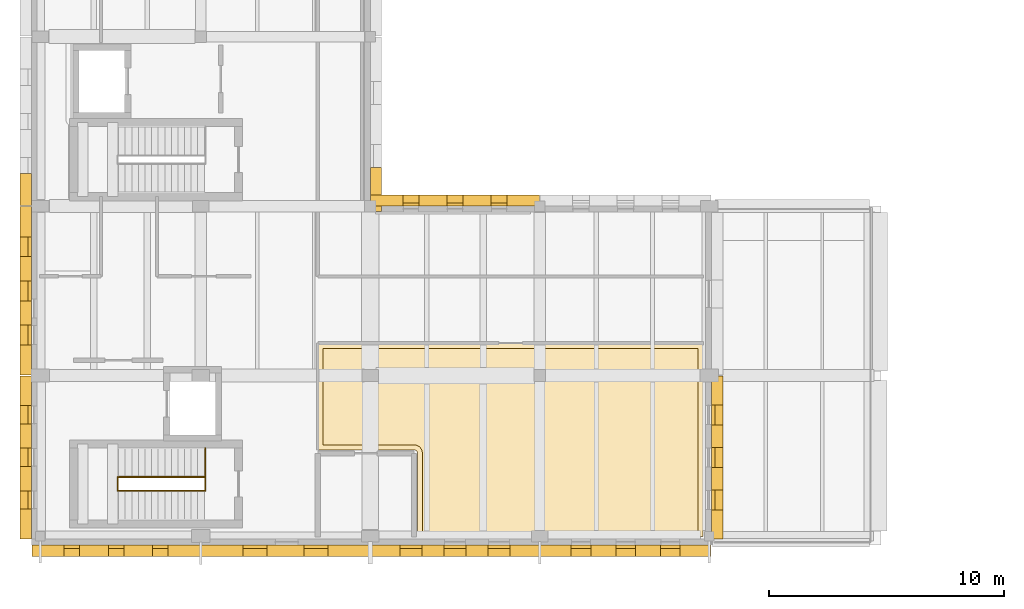
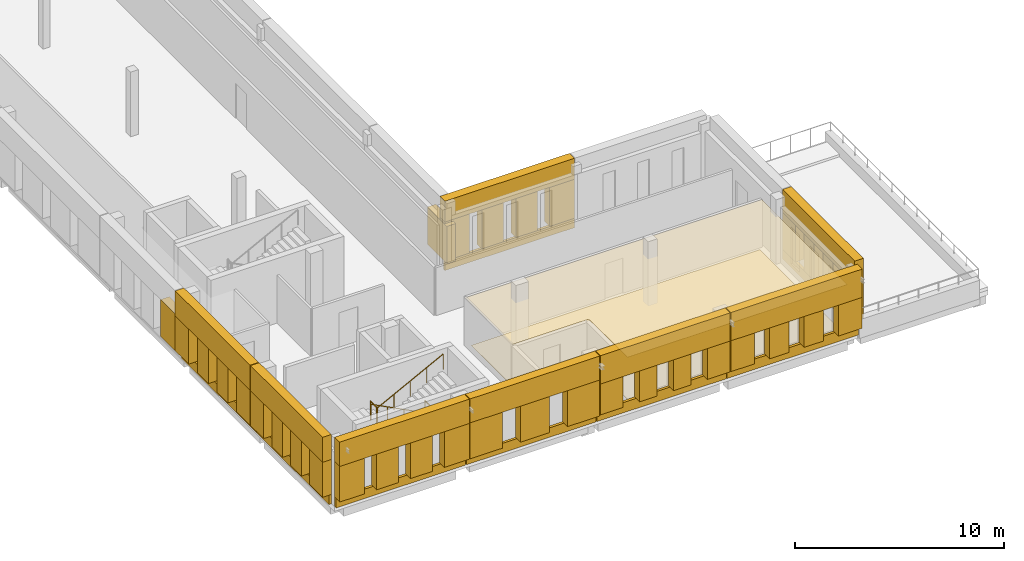
# One storey, part 12 of 15: 51 coverings, 4 railings.
"""IFC4 building model written with IfcOpenShell, lengths in metres."""

from ifc_helpers import new_model, si_unit, direction, frame, origin, origin_2d, place, context, subcontext, project, spatial, polyline, circle, outline, extrude, material, layer, layer_set, type_object, element, save


model = new_model("IFC4")

# Units and contexts
model_context = context("Model", 3, precision=1e-05, world=origin(), true_north=direction((0.0, 1.0)))
body_context = subcontext(model_context, "Body", "Model", "MODEL_VIEW")
ifc_project = project(units=[si_unit("LENGTHUNIT", "METRE"), si_unit("AREAUNIT", "SQUARE_METRE"), si_unit("VOLUMEUNIT", "CUBIC_METRE"), si_unit("PLANEANGLEUNIT", "RADIAN"), si_unit("MASSUNIT", "GRAM", prefix="KILO")], contexts=[model_context])

# Site, building, storey
site_placement = place(None, origin())
site = spatial("IfcSite", under=ifc_project, at=site_placement, CompositionType="ELEMENT")
building_placement = place(site_placement, origin())
building = spatial("IfcBuilding", under=site, at=building_placement, Name="Vardoun Plaza Health Centre", CompositionType="ELEMENT")
storey_placement = place(building_placement, frame((0.0, 0.0, 17.10009765625)))
storey = spatial("IfcBuildingStorey", under=building, at=storey_placement, Name="L04", CompositionType="ELEMENT", Elevation=17.10009765625)

# Coverings
ifc_material_1 = material(Name="Hygienic Acoustic Mineral-Fibre Ceiling", Category="concrete")
ifc_layer_1 = layer(ifc_material_1, 0.02490234375)
ifc_layer_set_1 = layer_set([ifc_layer_1], Name="Hygienic Acoustic Mineral-Fibre Ceiling")
covering_type_1 = type_object("IfcCoveringType", Name="CL-01", PredefinedType="CEILING", material=ifc_layer_set_1)
covering_1_placement = place(storey_placement, frame((0.0, 0.0, 2.72998046875)))
element("IfcCovering", 1, at=covering_1_placement, inside=storey, type_object=covering_type_1, Name="Neurology Consulting Room 42 Acoustic Ceiling", PredefinedType="CEILING", context=body_context, shape_type="SweptSolid", body=[
    extrude(outline(polyline([(20.903564453125, 4.860107421875), (20.903564453125, 8.40087890625), (20.903564453125, 8.4013671875), (20.90283203125, 8.4150390625), (20.902587890625, 8.416015625), (20.900634765625, 8.4296875), (20.900390625, 8.4306640625), (20.897216796875, 8.44384765625), (20.89697265625, 8.44482421875), (20.89208984375, 8.457763671875), (20.891845703125, 8.45849609375), (20.885986328125, 8.47119140625), (20.885498046875, 8.47216796875), (20.87841796875, 8.48388671875), (20.8779296875, 8.484619140625), (20.86962890625, 8.49560546875), (20.869140625, 8.496337890625), (20.85986328125, 8.506591796875), (20.859130859375, 8.50732421875), (20.84912109375, 8.5166015625), (20.848388671875, 8.51708984375), (20.83740234375, 8.525390625), (20.83642578125, 8.52587890625), (20.82470703125, 8.532958984375), (20.82373046875, 8.533203125), (20.811279296875, 8.539306640625), (20.810302734375, 8.53955078125), (20.79736328125, 8.544189453125), (20.796630859375, 8.54443359375), (20.783203125, 8.5478515625), (20.7822265625, 8.548095703125), (20.768798828125, 8.550048828125), (20.767578125, 8.55029296875), (20.75390625, 8.55078125), (20.75341796875, 8.55078125), (16.679931640625, 8.55078125), (16.679931640625, 13.070068359375), (33.0400390625, 13.070068359375), (33.0400390625, 4.860107421875), (20.903564453125, 4.860107421875)])), origin(), (0.0, 0.0, 1.0), 0.02490234375),
])
ifc_material_2 = material(Name="Pale Limestone Concrete C35/45", Category="masonry")
ifc_layer_2 = layer(ifc_material_2, 0.080078125)
ifc_layer_set_2 = layer_set([ifc_layer_2], Name="Pale Limestone Concrete C35/45")
covering_type_2 = type_object("IfcCoveringType", Name="CL-EXT1", PredefinedType="CLADDING", material=ifc_layer_set_2)
covering_2_placement = place(storey_placement, frame((0.0, 0.0, 0.5498046875)))
element("IfcCovering", 2, at=covering_2_placement, inside=storey, type_object=covering_type_2, Name="V2 L04 Deep-Punched Slot Concrete Reveal Pier 487", PredefinedType="CLADDING", context=body_context, shape_type="SweptSolid", body=[
    extrude(outline(polyline([(18.89990234375, 20.5439453125), (18.89990234375, 18.669921875), (19.3798828125, 18.669921875), (19.3798828125, 20.5439453125), (18.89990234375, 20.5439453125)])), origin(), (0.0, 0.0, 1.0), 2.18017578125),
])
covering_3_placement = place(storey_placement, origin())
element("IfcCovering", 3, at=covering_3_placement, inside=storey, type_object=covering_type_2, Name="V2 L04 Pale Concrete Sill Band 488", PredefinedType="CLADDING", context=body_context, shape_type="SweptSolid", body=[
    extrude(outline(polyline([(18.919921875, 18.89990234375), (26.080078125, 18.89990234375), (26.080078125, 19.0400390625), (18.919921875, 19.0400390625), (18.919921875, 18.89990234375)])), origin(), (0.0, 0.0, 1.0), 0.5498046875),
])
covering_4_placement = place(storey_placement, frame((0.0, 0.0, 2.829833984375)))
element("IfcCovering", 4, at=covering_4_placement, inside=storey, type_object=covering_type_2, Name="V2 L04 Sculpted Concrete Eyebrow Hood 489", PredefinedType="CLADDING", context=body_context, shape_type="SweptSolid", body=[
    extrude(outline(polyline([(18.919921875, 18.89990234375), (26.080078125, 18.89990234375), (26.080078125, 19.3798828125), (18.919921875, 19.3798828125), (18.919921875, 18.89990234375)])), origin(), (0.0, 0.0, 1.0), 1.219970703125),
])
covering_5_placement = place(storey_placement, frame((0.0, 0.0, 0.5498046875)))
element("IfcCovering", 5, at=covering_5_placement, inside=storey, type_object=covering_type_2, Name="V2 L04 Deep-Punched Slot Concrete Reveal Pier 490", PredefinedType="CLADDING", context=body_context, shape_type="SweptSolid", body=[
    extrude(outline(polyline([(18.919921875, 18.89990234375), (20.2880859375, 18.89990234375), (20.2880859375, 19.3798828125), (18.919921875, 19.3798828125), (18.919921875, 18.89990234375)])), origin(), (0.0, 0.0, 1.0), 2.280029296875),
])
covering_6_placement = place(storey_placement, frame((0.0, 0.0, 0.5498046875)))
element("IfcCovering", 6, at=covering_6_placement, inside=storey, type_object=covering_type_2, Name="V2 L04 Deep-Punched Slot Concrete Reveal Pier 491", PredefinedType="CLADDING", context=body_context, shape_type="SweptSolid", body=[
    extrude(outline(polyline([(20.968017578125, 18.89990234375), (22.159912109375, 18.89990234375), (22.159912109375, 19.3798828125), (20.968017578125, 19.3798828125), (20.968017578125, 18.89990234375)])), origin(), (0.0, 0.0, 1.0), 2.280029296875),
])
covering_7_placement = place(storey_placement, frame((0.0, 0.0, 0.5498046875)))
element("IfcCovering", 7, at=covering_7_placement, inside=storey, type_object=covering_type_2, Name="V2 L04 Deep-Punched Slot Concrete Reveal Pier 492", PredefinedType="CLADDING", context=body_context, shape_type="SweptSolid", body=[
    extrude(outline(polyline([(22.840087890625, 18.89990234375), (24.031982421875, 18.89990234375), (24.031982421875, 19.3798828125), (22.840087890625, 19.3798828125), (22.840087890625, 18.89990234375)])), origin(), (0.0, 0.0, 1.0), 2.280029296875),
])
covering_8_placement = place(storey_placement, frame((0.0, 0.0, 0.5498046875)))
element("IfcCovering", 8, at=covering_8_placement, inside=storey, type_object=covering_type_2, Name="V2 L04 Deep-Punched Slot Concrete Reveal Pier 493", PredefinedType="CLADDING", context=body_context, shape_type="SweptSolid", body=[
    extrude(outline(polyline([(24.7119140625, 18.89990234375), (26.080078125, 18.89990234375), (26.080078125, 19.3798828125), (24.7119140625, 19.3798828125), (24.7119140625, 18.89990234375)])), origin(), (0.0, 0.0, 1.0), 2.280029296875),
])
covering_9_placement = place(storey_placement, origin())
element("IfcCovering", 9, at=covering_9_placement, inside=storey, type_object=covering_type_2, Name="V2 L04 Pale Concrete Sill Band 503", PredefinedType="CLADDING", context=body_context, shape_type="SweptSolid", body=[
    extrude(outline(polyline([(33.39990234375, 11.679931640625), (33.39990234375, 4.77001953125), (33.5400390625, 4.77001953125), (33.5400390625, 11.679931640625), (33.39990234375, 11.679931640625)])), origin(), (0.0, 0.0, 1.0), 0.5498046875),
])
covering_10_placement = place(storey_placement, frame((0.0, 0.0, 2.7099609375)))
element("IfcCovering", 10, at=covering_10_placement, inside=storey, type_object=covering_type_2, Name="V2 L04 Sculpted Concrete Eyebrow Hood 504", PredefinedType="CLADDING", context=body_context, shape_type="SweptSolid", body=[
    extrude(outline(polyline([(33.39990234375, 11.679931640625), (33.39990234375, 4.77001953125), (33.8798828125, 4.77001953125), (33.8798828125, 11.679931640625), (33.39990234375, 11.679931640625)])), origin(), (0.0, 0.0, 1.0), 1.33984375),
])
covering_11_placement = place(storey_placement, frame((0.0, 0.0, 0.5498046875)))
element("IfcCovering", 11, at=covering_11_placement, inside=storey, type_object=covering_type_2, Name="V2 L04 Deep-Punched Slot Concrete Reveal Pier 505", PredefinedType="CLADDING", context=body_context, shape_type="SweptSolid", body=[
    extrude(outline(polyline([(33.39990234375, 11.679931640625), (33.39990234375, 10.451904296875), (33.8798828125, 10.451904296875), (33.8798828125, 11.679931640625), (33.39990234375, 11.679931640625)])), origin(), (0.0, 0.0, 1.0), 2.16015625),
])
covering_12_placement = place(storey_placement, frame((0.0, 0.0, 0.5498046875)))
element("IfcCovering", 12, at=covering_12_placement, inside=storey, type_object=covering_type_2, Name="V2 L04 Deep-Punched Slot Concrete Reveal Pier 506", PredefinedType="CLADDING", context=body_context, shape_type="SweptSolid", body=[
    extrude(outline(polyline([(33.39990234375, 9.612060546875), (33.39990234375, 8.64501953125), (33.8798828125, 8.64501953125), (33.8798828125, 9.612060546875), (33.39990234375, 9.612060546875)])), origin(), (0.0, 0.0, 1.0), 2.16015625),
])
covering_13_placement = place(storey_placement, frame((0.0, 0.0, 0.5498046875)))
element("IfcCovering", 13, at=covering_13_placement, inside=storey, type_object=covering_type_2, Name="V2 L04 Deep-Punched Slot Concrete Reveal Pier 507", PredefinedType="CLADDING", context=body_context, shape_type="SweptSolid", body=[
    extrude(outline(polyline([(33.39990234375, 7.804931640625), (33.39990234375, 6.837890625), (33.8798828125, 6.837890625), (33.8798828125, 7.804931640625), (33.39990234375, 7.804931640625)])), origin(), (0.0, 0.0, 1.0), 2.16015625),
])
covering_14_placement = place(storey_placement, frame((0.0, 0.0, 0.5498046875)))
element("IfcCovering", 14, at=covering_14_placement, inside=storey, type_object=covering_type_2, Name="V2 L04 Deep-Punched Slot Concrete Reveal Pier 508", PredefinedType="CLADDING", context=body_context, shape_type="SweptSolid", body=[
    extrude(outline(polyline([(33.39990234375, 5.998046875), (33.39990234375, 4.77001953125), (33.8798828125, 4.77001953125), (33.8798828125, 5.998046875), (33.39990234375, 5.998046875)])), origin(), (0.0, 0.0, 1.0), 2.16015625),
])
covering_15_placement = place(storey_placement, origin())
element("IfcCovering", 15, at=covering_15_placement, inside=storey, type_object=covering_type_2, Name="V2 L04 Pale Concrete Sill Band 509", PredefinedType="CLADDING", context=body_context, shape_type="SweptSolid", body=[
    extrude(outline(polyline([(33.3798828125, 4.5), (26.1201171875, 4.5), (26.1201171875, 4.360107421875), (33.3798828125, 4.360107421875), (33.3798828125, 4.5)])), origin(), (0.0, 0.0, 1.0), 0.599853515625),
])
covering_16_placement = place(storey_placement, frame((0.0, 0.0, 2.39990234375)))
element("IfcCovering", 16, at=covering_16_placement, inside=storey, type_object=covering_type_2, Name="V2 L04 Sculpted Concrete Eyebrow Hood 510", PredefinedType="CLADDING", context=body_context, shape_type="SweptSolid", body=[
    extrude(outline(polyline([(33.3798828125, 4.5), (26.1201171875, 4.5), (26.1201171875, 4.02001953125), (33.3798828125, 4.02001953125), (33.3798828125, 4.5)])), origin(), (0.0, 0.0, 1.0), 1.64990234375),
])
covering_17_placement = place(storey_placement, frame((0.0, 0.0, 0.599853515625)))
element("IfcCovering", 17, at=covering_17_placement, inside=storey, type_object=covering_type_2, Name="V2 L04 Deep-Punched Slot Concrete Reveal Pier 511", PredefinedType="CLADDING", context=body_context, shape_type="SweptSolid", body=[
    extrude(outline(polyline([(33.3798828125, 4.5), (32.068115234375, 4.5), (32.068115234375, 4.02001953125), (33.3798828125, 4.02001953125), (33.3798828125, 4.5)])), origin(), (0.0, 0.0, 1.0), 1.800048828125),
])
covering_18_placement = place(storey_placement, frame((0.0, 0.0, 0.599853515625)))
element("IfcCovering", 18, at=covering_18_placement, inside=storey, type_object=covering_type_2, Name="V2 L04 Deep-Punched Slot Concrete Reveal Pier 512", PredefinedType="CLADDING", context=body_context, shape_type="SweptSolid", body=[
    extrude(outline(polyline([(31.22802734375, 4.5), (30.169921875, 4.5), (30.169921875, 4.02001953125), (31.22802734375, 4.02001953125), (31.22802734375, 4.5)])), origin(), (0.0, 0.0, 1.0), 1.800048828125),
])
covering_19_placement = place(storey_placement, frame((0.0, 0.0, 0.599853515625)))
element("IfcCovering", 19, at=covering_19_placement, inside=storey, type_object=covering_type_2, Name="V2 L04 Deep-Punched Slot Concrete Reveal Pier 513", PredefinedType="CLADDING", context=body_context, shape_type="SweptSolid", body=[
    extrude(outline(polyline([(29.330078125, 4.5), (28.27197265625, 4.5), (28.27197265625, 4.02001953125), (29.330078125, 4.02001953125), (29.330078125, 4.5)])), origin(), (0.0, 0.0, 1.0), 1.800048828125),
])
covering_20_placement = place(storey_placement, frame((0.0, 0.0, 0.599853515625)))
element("IfcCovering", 20, at=covering_20_placement, inside=storey, type_object=covering_type_2, Name="V2 L04 Deep-Punched Slot Concrete Reveal Pier 514", PredefinedType="CLADDING", context=body_context, shape_type="SweptSolid", body=[
    extrude(outline(polyline([(27.431884765625, 4.5), (26.1201171875, 4.5), (26.1201171875, 4.02001953125), (27.431884765625, 4.02001953125), (27.431884765625, 4.5)])), origin(), (0.0, 0.0, 1.0), 1.800048828125),
])
covering_21_placement = place(storey_placement, origin())
element("IfcCovering", 21, at=covering_21_placement, inside=storey, type_object=covering_type_2, Name="V2 L04 Pale Concrete Sill Band 515", PredefinedType="CLADDING", context=body_context, shape_type="SweptSolid", body=[
    extrude(outline(polyline([(26.080078125, 4.5), (18.919921875, 4.5), (18.919921875, 4.360107421875), (26.080078125, 4.360107421875), (26.080078125, 4.5)])), origin(), (0.0, 0.0, 1.0), 0.599853515625),
])
covering_22_placement = place(storey_placement, frame((0.0, 0.0, 2.39990234375)))
element("IfcCovering", 22, at=covering_22_placement, inside=storey, type_object=covering_type_2, Name="V2 L04 Sculpted Concrete Eyebrow Hood 516", PredefinedType="CLADDING", context=body_context, shape_type="SweptSolid", body=[
    extrude(outline(polyline([(26.080078125, 4.5), (18.919921875, 4.5), (18.919921875, 4.02001953125), (26.080078125, 4.02001953125), (26.080078125, 4.5)])), origin(), (0.0, 0.0, 1.0), 1.64990234375),
])
covering_23_placement = place(storey_placement, frame((0.0, 0.0, 0.599853515625)))
element("IfcCovering", 23, at=covering_23_placement, inside=storey, type_object=covering_type_2, Name="V2 L04 Deep-Punched Slot Concrete Reveal Pier 517", PredefinedType="CLADDING", context=body_context, shape_type="SweptSolid", body=[
    extrude(outline(polyline([(26.080078125, 4.5), (24.83203125, 4.5), (24.83203125, 4.02001953125), (26.080078125, 4.02001953125), (26.080078125, 4.5)])), origin(), (0.0, 0.0, 1.0), 1.800048828125),
])
covering_24_placement = place(storey_placement, frame((0.0, 0.0, 0.599853515625)))
element("IfcCovering", 24, at=covering_24_placement, inside=storey, type_object=covering_type_2, Name="V2 L04 Deep-Punched Slot Concrete Reveal Pier 518", PredefinedType="CLADDING", context=body_context, shape_type="SweptSolid", body=[
    extrude(outline(polyline([(23.912109375, 4.5), (22.9599609375, 4.5), (22.9599609375, 4.02001953125), (23.912109375, 4.02001953125), (23.912109375, 4.5)])), origin(), (0.0, 0.0, 1.0), 1.800048828125),
])
covering_25_placement = place(storey_placement, frame((0.0, 0.0, 0.599853515625)))
element("IfcCovering", 25, at=covering_25_placement, inside=storey, type_object=covering_type_2, Name="V2 L04 Deep-Punched Slot Concrete Reveal Pier 519", PredefinedType="CLADDING", context=body_context, shape_type="SweptSolid", body=[
    extrude(outline(polyline([(22.0400390625, 4.5), (21.087890625, 4.5), (21.087890625, 4.02001953125), (22.0400390625, 4.02001953125), (22.0400390625, 4.5)])), origin(), (0.0, 0.0, 1.0), 1.800048828125),
])
covering_26_placement = place(storey_placement, frame((0.0, 0.0, 0.599853515625)))
element("IfcCovering", 26, at=covering_26_placement, inside=storey, type_object=covering_type_2, Name="V2 L04 Deep-Punched Slot Concrete Reveal Pier 520", PredefinedType="CLADDING", context=body_context, shape_type="SweptSolid", body=[
    extrude(outline(polyline([(20.16796875, 4.5), (18.919921875, 4.5), (18.919921875, 4.02001953125), (20.16796875, 4.02001953125), (20.16796875, 4.5)])), origin(), (0.0, 0.0, 1.0), 1.800048828125),
])
covering_27_placement = place(storey_placement, origin())
element("IfcCovering", 27, at=covering_27_placement, inside=storey, type_object=covering_type_2, Name="V2 L04 Pale Concrete Sill Band 521", PredefinedType="CLADDING", context=body_context, shape_type="SweptSolid", body=[
    extrude(outline(polyline([(18.8798828125, 4.5), (11.719970703125, 4.5), (11.719970703125, 4.360107421875), (18.8798828125, 4.360107421875), (18.8798828125, 4.5)])), origin(), (0.0, 0.0, 1.0), 0.5498046875),
])
covering_28_placement = place(storey_placement, frame((0.0, 0.0, 2.64990234375)))
element("IfcCovering", 28, at=covering_28_placement, inside=storey, type_object=covering_type_2, Name="V2 L04 Sculpted Concrete Eyebrow Hood 522", PredefinedType="CLADDING", context=body_context, shape_type="SweptSolid", body=[
    extrude(outline(polyline([(18.8798828125, 4.5), (11.719970703125, 4.5), (11.719970703125, 4.02001953125), (18.8798828125, 4.02001953125), (18.8798828125, 4.5)])), origin(), (0.0, 0.0, 1.0), 1.39990234375),
])
covering_29_placement = place(storey_placement, frame((0.0, 0.0, 0.5498046875)))
element("IfcCovering", 29, at=covering_29_placement, inside=storey, type_object=covering_type_2, Name="V2 L04 Deep-Punched Slot Concrete Reveal Pier 523", PredefinedType="CLADDING", context=body_context, shape_type="SweptSolid", body=[
    extrude(outline(polyline([(18.8798828125, 4.5), (17.095947265625, 4.5), (17.095947265625, 4.02001953125), (18.8798828125, 4.02001953125), (18.8798828125, 4.5)])), origin(), (0.0, 0.0, 1.0), 2.10009765625),
])
covering_30_placement = place(storey_placement, frame((0.0, 0.0, 0.5498046875)))
element("IfcCovering", 30, at=covering_30_placement, inside=storey, type_object=covering_type_2, Name="V2 L04 Deep-Punched Slot Concrete Reveal Pier 524", PredefinedType="CLADDING", context=body_context, shape_type="SweptSolid", body=[
    extrude(outline(polyline([(16.095947265625, 4.5), (14.50390625, 4.5), (14.50390625, 4.02001953125), (16.095947265625, 4.02001953125), (16.095947265625, 4.5)])), origin(), (0.0, 0.0, 1.0), 2.10009765625),
])
covering_31_placement = place(storey_placement, frame((0.0, 0.0, 0.5498046875)))
element("IfcCovering", 31, at=covering_31_placement, inside=storey, type_object=covering_type_2, Name="V2 L04 Deep-Punched Slot Concrete Reveal Pier 525", PredefinedType="CLADDING", context=body_context, shape_type="SweptSolid", body=[
    extrude(outline(polyline([(13.50390625, 4.5), (11.719970703125, 4.5), (11.719970703125, 4.02001953125), (13.50390625, 4.02001953125), (13.50390625, 4.5)])), origin(), (0.0, 0.0, 1.0), 2.10009765625),
])
covering_32_placement = place(storey_placement, origin())
element("IfcCovering", 32, at=covering_32_placement, inside=storey, type_object=covering_type_2, Name="V2 L04 Pale Concrete Sill Band 526", PredefinedType="CLADDING", context=body_context, shape_type="SweptSolid", body=[
    extrude(outline(polyline([(11.679931640625, 4.5), (4.52001953125, 4.5), (4.52001953125, 4.360107421875), (11.679931640625, 4.360107421875), (11.679931640625, 4.5)])), origin(), (0.0, 0.0, 1.0), 0.5498046875),
])
covering_33_placement = place(storey_placement, frame((0.0, 0.0, 2.6298828125)))
element("IfcCovering", 33, at=covering_33_placement, inside=storey, type_object=covering_type_2, Name="V2 L04 Sculpted Concrete Eyebrow Hood 527", PredefinedType="CLADDING", context=body_context, shape_type="SweptSolid", body=[
    extrude(outline(polyline([(11.679931640625, 4.5), (4.52001953125, 4.5), (4.52001953125, 4.02001953125), (11.679931640625, 4.02001953125), (11.679931640625, 4.5)])), origin(), (0.0, 0.0, 1.0), 1.419921875),
])
covering_34_placement = place(storey_placement, frame((0.0, 0.0, 0.5498046875)))
element("IfcCovering", 34, at=covering_34_placement, inside=storey, type_object=covering_type_2, Name="V2 L04 Deep-Punched Slot Concrete Reveal Pier 528", PredefinedType="CLADDING", context=body_context, shape_type="SweptSolid", body=[
    extrude(outline(polyline([(11.679931640625, 4.5), (10.302001953125, 4.5), (10.302001953125, 4.02001953125), (11.679931640625, 4.02001953125), (11.679931640625, 4.5)])), origin(), (0.0, 0.0, 1.0), 2.080078125),
])
covering_35_placement = place(storey_placement, frame((0.0, 0.0, 0.5498046875)))
element("IfcCovering", 35, at=covering_35_placement, inside=storey, type_object=covering_type_2, Name="V2 L04 Deep-Punched Slot Concrete Reveal Pier 529", PredefinedType="CLADDING", context=body_context, shape_type="SweptSolid", body=[
    extrude(outline(polyline([(9.64208984375, 4.5), (8.429931640625, 4.5), (8.429931640625, 4.02001953125), (9.64208984375, 4.02001953125), (9.64208984375, 4.5)])), origin(), (0.0, 0.0, 1.0), 2.080078125),
])
covering_36_placement = place(storey_placement, frame((0.0, 0.0, 0.5498046875)))
element("IfcCovering", 36, at=covering_36_placement, inside=storey, type_object=covering_type_2, Name="V2 L04 Deep-Punched Slot Concrete Reveal Pier 530", PredefinedType="CLADDING", context=body_context, shape_type="SweptSolid", body=[
    extrude(outline(polyline([(7.77001953125, 4.5), (6.55810546875, 4.5), (6.55810546875, 4.02001953125), (7.77001953125, 4.02001953125), (7.77001953125, 4.5)])), origin(), (0.0, 0.0, 1.0), 2.080078125),
])
covering_37_placement = place(storey_placement, frame((0.0, 0.0, 0.5498046875)))
element("IfcCovering", 37, at=covering_37_placement, inside=storey, type_object=covering_type_2, Name="V2 L04 Deep-Punched Slot Concrete Reveal Pier 531", PredefinedType="CLADDING", context=body_context, shape_type="SweptSolid", body=[
    extrude(outline(polyline([(5.89794921875, 4.5), (4.52001953125, 4.5), (4.52001953125, 4.02001953125), (5.89794921875, 4.02001953125), (5.89794921875, 4.5)])), origin(), (0.0, 0.0, 1.0), 2.080078125),
])
covering_38_placement = place(storey_placement, origin())
element("IfcCovering", 38, at=covering_38_placement, inside=storey, type_object=covering_type_2, Name="V2 L04 Pale Concrete Sill Band 532", PredefinedType="CLADDING", context=body_context, shape_type="SweptSolid", body=[
    extrude(outline(polyline([(4.5, 4.77001953125), (4.5, 11.679931640625), (4.360107421875, 11.679931640625), (4.360107421875, 4.77001953125), (4.5, 4.77001953125)])), origin(), (0.0, 0.0, 1.0), 0.5498046875),
])
covering_39_placement = place(storey_placement, frame((0.0, 0.0, 2.58984375)))
element("IfcCovering", 39, at=covering_39_placement, inside=storey, type_object=covering_type_2, Name="V2 L04 Sculpted Concrete Eyebrow Hood 533", PredefinedType="CLADDING", context=body_context, shape_type="SweptSolid", body=[
    extrude(outline(polyline([(4.5, 4.77001953125), (4.5, 11.679931640625), (4.02001953125, 11.679931640625), (4.02001953125, 4.77001953125), (4.5, 4.77001953125)])), origin(), (0.0, 0.0, 1.0), 1.4599609375),
])
covering_40_placement = place(storey_placement, frame((0.0, 0.0, 0.5498046875)))
element("IfcCovering", 40, at=covering_40_placement, inside=storey, type_object=covering_type_2, Name="V2 L04 Deep-Punched Slot Concrete Reveal Pier 534", PredefinedType="CLADDING", context=body_context, shape_type="SweptSolid", body=[
    extrude(outline(polyline([(4.5, 4.77001953125), (4.5, 6.028076171875), (4.02001953125, 6.028076171875), (4.02001953125, 4.77001953125), (4.5, 4.77001953125)])), origin(), (0.0, 0.0, 1.0), 2.0400390625),
])
covering_41_placement = place(storey_placement, frame((0.0, 0.0, 0.5498046875)))
element("IfcCovering", 41, at=covering_41_placement, inside=storey, type_object=covering_type_2, Name="V2 L04 Deep-Punched Slot Concrete Reveal Pier 535", PredefinedType="CLADDING", context=body_context, shape_type="SweptSolid", body=[
    extrude(outline(polyline([(4.5, 6.80810546875), (4.5, 7.8349609375), (4.02001953125, 7.8349609375), (4.02001953125, 6.80810546875), (4.5, 6.80810546875)])), origin(), (0.0, 0.0, 1.0), 2.0400390625),
])
covering_42_placement = place(storey_placement, frame((0.0, 0.0, 0.5498046875)))
element("IfcCovering", 42, at=covering_42_placement, inside=storey, type_object=covering_type_2, Name="V2 L04 Deep-Punched Slot Concrete Reveal Pier 536", PredefinedType="CLADDING", context=body_context, shape_type="SweptSolid", body=[
    extrude(outline(polyline([(4.5, 8.614990234375), (4.5, 9.64208984375), (4.02001953125, 9.64208984375), (4.02001953125, 8.614990234375), (4.5, 8.614990234375)])), origin(), (0.0, 0.0, 1.0), 2.0400390625),
])
covering_43_placement = place(storey_placement, frame((0.0, 0.0, 0.5498046875)))
element("IfcCovering", 43, at=covering_43_placement, inside=storey, type_object=covering_type_2, Name="V2 L04 Deep-Punched Slot Concrete Reveal Pier 537", PredefinedType="CLADDING", context=body_context, shape_type="SweptSolid", body=[
    extrude(outline(polyline([(4.5, 10.422119140625), (4.5, 11.679931640625), (4.02001953125, 11.679931640625), (4.02001953125, 10.422119140625), (4.5, 10.422119140625)])), origin(), (0.0, 0.0, 1.0), 2.0400390625),
])
covering_44_placement = place(storey_placement, origin())
element("IfcCovering", 44, at=covering_44_placement, inside=storey, type_object=covering_type_2, Name="V2 L04 Pale Concrete Sill Band 538", PredefinedType="CLADDING", context=body_context, shape_type="SweptSolid", body=[
    extrude(outline(polyline([(4.5, 11.719970703125), (4.5, 18.8798828125), (4.360107421875, 18.8798828125), (4.360107421875, 11.719970703125), (4.5, 11.719970703125)])), origin(), (0.0, 0.0, 1.0), 0.5498046875),
])
covering_45_placement = place(storey_placement, frame((0.0, 0.0, 2.58984375)))
element("IfcCovering", 45, at=covering_45_placement, inside=storey, type_object=covering_type_2, Name="V2 L04 Sculpted Concrete Eyebrow Hood 539", PredefinedType="CLADDING", context=body_context, shape_type="SweptSolid", body=[
    extrude(outline(polyline([(4.5, 11.719970703125), (4.5, 18.8798828125), (4.02001953125, 18.8798828125), (4.02001953125, 11.719970703125), (4.5, 11.719970703125)])), origin(), (0.0, 0.0, 1.0), 1.4599609375),
])
covering_46_placement = place(storey_placement, frame((0.0, 0.0, 0.5498046875)))
element("IfcCovering", 46, at=covering_46_placement, inside=storey, type_object=covering_type_2, Name="V2 L04 Deep-Punched Slot Concrete Reveal Pier 540", PredefinedType="CLADDING", context=body_context, shape_type="SweptSolid", body=[
    extrude(outline(polyline([(4.5, 11.719970703125), (4.5, 13.008056640625), (4.02001953125, 13.008056640625), (4.02001953125, 11.719970703125), (4.5, 11.719970703125)])), origin(), (0.0, 0.0, 1.0), 2.0400390625),
])
covering_47_placement = place(storey_placement, frame((0.0, 0.0, 0.5498046875)))
element("IfcCovering", 47, at=covering_47_placement, inside=storey, type_object=covering_type_2, Name="V2 L04 Deep-Punched Slot Concrete Reveal Pier 541", PredefinedType="CLADDING", context=body_context, shape_type="SweptSolid", body=[
    extrude(outline(polyline([(4.5, 13.847900390625), (4.5, 14.8798828125), (4.02001953125, 14.8798828125), (4.02001953125, 13.847900390625), (4.5, 13.847900390625)])), origin(), (0.0, 0.0, 1.0), 2.0400390625),
])
covering_48_placement = place(storey_placement, frame((0.0, 0.0, 0.5498046875)))
element("IfcCovering", 48, at=covering_48_placement, inside=storey, type_object=covering_type_2, Name="V2 L04 Deep-Punched Slot Concrete Reveal Pier 542", PredefinedType="CLADDING", context=body_context, shape_type="SweptSolid", body=[
    extrude(outline(polyline([(4.5, 15.719970703125), (4.5, 16.751953125), (4.02001953125, 16.751953125), (4.02001953125, 15.719970703125), (4.5, 15.719970703125)])), origin(), (0.0, 0.0, 1.0), 2.0400390625),
])
covering_49_placement = place(storey_placement, frame((0.0, 0.0, 0.5498046875)))
element("IfcCovering", 49, at=covering_49_placement, inside=storey, type_object=covering_type_2, Name="V2 L04 Deep-Punched Slot Concrete Reveal Pier 543", PredefinedType="CLADDING", context=body_context, shape_type="SweptSolid", body=[
    extrude(outline(polyline([(4.5, 17.592041015625), (4.5, 18.8798828125), (4.02001953125, 18.8798828125), (4.02001953125, 17.592041015625), (4.5, 17.592041015625)])), origin(), (0.0, 0.0, 1.0), 2.0400390625),
])
covering_50_placement = place(storey_placement, frame((0.0, 0.0, 0.5498046875)))
element("IfcCovering", 50, at=covering_50_placement, inside=storey, type_object=covering_type_2, Name="V2 L04 Deep-Punched Slot Concrete Reveal Pier 546", PredefinedType="CLADDING", context=body_context, shape_type="SweptSolid", body=[
    extrude(outline(polyline([(4.5, 18.919921875), (4.5, 20.282958984375), (4.02001953125, 20.282958984375), (4.02001953125, 18.919921875), (4.5, 18.919921875)])), origin(), (0.0, 0.0, 1.0), 2.14013671875),
])
ifc_material_3 = material(Name="Seamless Conductive Clinical Vinyl Flooring", Category="concrete")
ifc_layer_3 = layer(ifc_material_3, 0.014892578125)
ifc_layer_set_3 = layer_set([ifc_layer_3], Name="Seamless Conductive Clinical Vinyl Flooring")
covering_type_3 = type_object("IfcCoveringType", Name="FL-01", PredefinedType="FLOORING", material=ifc_layer_set_3)
covering_51_placement = place(storey_placement, origin())
element("IfcCovering", 51, at=covering_51_placement, inside=storey, type_object=covering_type_3, Name="Neurology Consulting Room 42 Floor Finish", PredefinedType="FLOORING", context=body_context, shape_type="SweptSolid", body=[
    extrude(outline(polyline([(21.113525390625, 5.070068359375), (21.113525390625, 8.40087890625), (21.11328125, 8.412109375), (21.112548828125, 8.42578125), (21.110595703125, 8.446533203125), (21.1083984375, 8.460205078125), (21.104248046875, 8.481201171875), (21.10107421875, 8.494384765625), (21.09423828125, 8.516845703125), (21.089599609375, 8.52978515625), (21.08251953125, 8.547119140625), (21.07666015625, 8.5595703125), (21.0654296875, 8.580322265625), (21.058349609375, 8.592041015625), (21.04638671875, 8.610107421875), (21.0380859375, 8.62109375), (21.025146484375, 8.636962890625), (21.015869140625, 8.647216796875), (20.999755859375, 8.663330078125), (20.989501953125, 8.672607421875), (20.973876953125, 8.685546875), (20.962890625, 8.693603515625), (20.943603515625, 8.70654296875), (20.931640625, 8.71337890625), (20.9140625, 8.722900390625), (20.901611328125, 8.72900390625), (20.880615234375, 8.737548828125), (20.867431640625, 8.7421875), (20.8486328125, 8.747802734375), (20.835205078125, 8.751220703125), (20.812744140625, 8.755859375), (20.79931640625, 8.7578125), (20.7783203125, 8.760009765625), (20.7646484375, 8.760498046875), (20.75341796875, 8.760986328125), (16.889892578125, 8.760986328125), (16.889892578125, 12.860107421875), (32.830078125, 12.860107421875), (32.830078125, 5.070068359375), (21.113525390625, 5.070068359375)])), origin(), (0.0, 0.0, 1.0), 0.014892578125),
])

# Railings
ifc_material_4 = material(Name="Painted Steel S275JR Stair-Well Guardrail", Category="steel")
railing_type_1 = type_object("IfcRailingType", Name="GR-04", PredefinedType="GUARDRAIL", material=ifc_material_4)
railing_1_placement = place(storey_placement, frame((11.889892578125, 6.804931640625, 0.0)))
element("IfcRailing", 52, at=railing_1_placement, inside=storey, type_object=railing_type_1, Name="Stair ST-C1-L03 Upper Landing Well Guard", PredefinedType="GUARDRAIL", context=body_context, shape_type="SweptSolid", body=[
    extrude(circle(Radius=0.02392578125, at=origin_2d()), frame((0.0, 0.0, 1.09619140625), z_axis=(0.0, 1.0, 0.0), x_axis=(-1.0, 0.0, 0.0)), (0.0, 0.0, 1.0), 1.815185546875),
    extrude(circle(Radius=0.02099609375, at=origin_2d()), origin(), (0.0, 0.0, 1.0), 1.072021484375),
    extrude(circle(Radius=0.02099609375, at=origin_2d()), frame((0.0, 0.90771484375, 0.0)), (0.0, 0.0, 1.0), 1.072021484375),
    extrude(circle(Radius=0.02099609375, at=origin_2d()), frame((0.0, 1.815185546875, 0.0)), (0.0, 0.0, 1.0), 1.072021484375),
])
railing_2_placement = place(storey_placement, frame((8.169921875, 6.804931640625, 2.02490234375)))
element("IfcRailing", 53, at=railing_2_placement, inside=storey, type_object=railing_type_1, Name="Stair ST-C1-L04 Mid-Landing Well Guard", PredefinedType="GUARDRAIL", context=body_context, shape_type="SweptSolid", body=[
    extrude(circle(Radius=0.02392578125, at=origin_2d()), frame((0.0, 0.0, 1.09619140625), z_axis=(0.0, 1.0, 0.0), x_axis=(-1.0, 0.0, 0.0)), (0.0, 0.0, 1.0), 0.590087890625),
    extrude(circle(Radius=0.02099609375, at=origin_2d()), origin(), (0.0, 0.0, 1.0), 1.072021484375),
    extrude(circle(Radius=0.02099609375, at=origin_2d()), frame((0.0, 0.590087890625, 0.0)), (0.0, 0.0, 1.0), 1.072021484375),
])
ifc_material_5 = material(Name="Brushed Stainless Steel Grade 316L", Category="steel")
railing_type_2 = type_object("IfcRailingType", Name="HR-01", PredefinedType="HANDRAIL", material=ifc_material_5)
railing_3_placement = place(storey_placement, frame((11.85009765625, 7.39501953125, 0.14453125)))
element("IfcRailing", 54, at=railing_3_placement, inside=storey, type_object=railing_type_2, Name="Stair ST-C1-L04 Flight 1 Handrail", PredefinedType="HANDRAIL", context=body_context, shape_type="SweptSolid", body=[
    extrude(circle(Radius=0.02392578125, at=origin_2d()), frame((0.0, 0.0, 0.89599609375), z_axis=(-0.888462354727, 0.0, 0.458949500745), x_axis=(0.0, -1.0, 0.0)), (0.0, 0.0, 1.0), 4.09716796875),
    extrude(circle(Radius=0.02099609375, at=origin_2d()), origin(), (0.0, 0.0, 1.0), 0.871826171875),
    extrude(circle(Radius=0.02099609375, at=origin_2d()), frame((-0.91015625, 0.0, 0.47021484375)), (0.0, 0.0, 1.0), 0.871826171875),
    extrude(circle(Radius=0.02099609375, at=origin_2d()), frame((-1.820068359375, 0.0, 0.940185546875)), (0.0, 0.0, 1.0), 0.871826171875),
    extrude(circle(Radius=0.02099609375, at=origin_2d()), frame((-2.72998046875, 0.0, 1.41015625)), (0.0, 0.0, 1.0), 0.871826171875),
    extrude(circle(Radius=0.02099609375, at=origin_2d()), frame((-3.64013671875, 0.0, 1.88037109375)), (0.0, 0.0, 1.0), 0.871826171875),
])
railing_4_placement = place(storey_placement, frame((8.2099609375, 6.804931640625, 2.16943359375)))
element("IfcRailing", 55, at=railing_4_placement, inside=storey, type_object=railing_type_2, Name="Stair ST-C1-L04 Flight 2 Handrail", PredefinedType="HANDRAIL", context=body_context, shape_type="SweptSolid", body=[
    extrude(circle(Radius=0.02392578125, at=origin_2d()), frame((0.0, 0.0, 0.89599609375), z_axis=(0.888462354727, 0.0, 0.458949500745), x_axis=(0.0, 1.0, 0.0)), (0.0, 0.0, 1.0), 4.09716796875),
    extrude(circle(Radius=0.02099609375, at=origin_2d()), origin(), (0.0, 0.0, 1.0), 0.871826171875),
    extrude(circle(Radius=0.02099609375, at=origin_2d()), frame((0.91015625, 0.0, 0.47021484375)), (0.0, 0.0, 1.0), 0.871826171875),
    extrude(circle(Radius=0.02099609375, at=origin_2d()), frame((1.820068359375, 0.0, 0.940185546875)), (0.0, 0.0, 1.0), 0.871826171875),
    extrude(circle(Radius=0.02099609375, at=origin_2d()), frame((2.72998046875, 0.0, 1.41015625)), (0.0, 0.0, 1.0), 0.871826171875),
    extrude(circle(Radius=0.02099609375, at=origin_2d()), frame((3.64013671875, 0.0, 1.88037109375)), (0.0, 0.0, 1.0), 0.871826171875),
])

save(model, "model.ifc")
